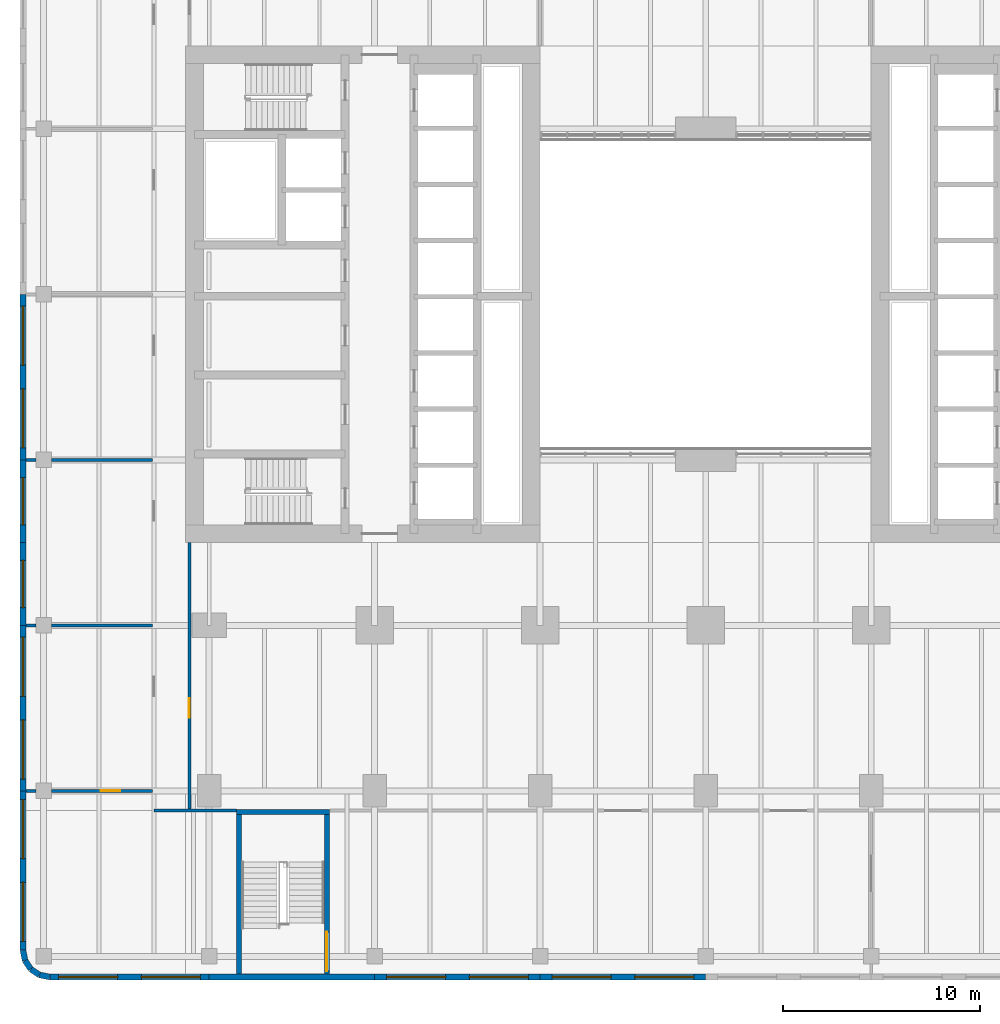
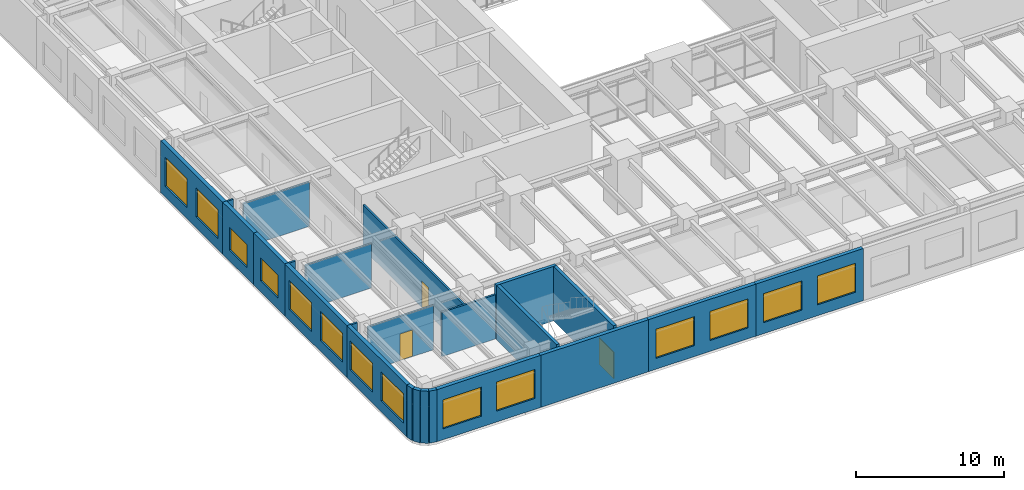
# One storey, part 9 of 26: 24 walls, 14 windows, 3 doors, 17 openings.
"""IFC4 building model written with IfcOpenShell, lengths in metres."""

from ifc_helpers import new_model, si_unit, direction, frame, frame_2d, origin, place, context, subcontext, project, spatial, rectangle, extrude, material, layer, layer_set, type_object, element, fill, save


model = new_model("IFC4")

# Units and contexts
model_context = context("Model", 3, precision=1e-05, world=origin(), true_north=direction((0.0, 1.0)))
body_context = subcontext(model_context, "Body", "Model", "MODEL_VIEW")
ifc_project = project(units=[si_unit("LENGTHUNIT", "METRE"), si_unit("AREAUNIT", "SQUARE_METRE"), si_unit("VOLUMEUNIT", "CUBIC_METRE"), si_unit("PLANEANGLEUNIT", "RADIAN"), si_unit("MASSUNIT", "GRAM", prefix="KILO")], contexts=[model_context])

# Site, building, storey
site_placement = place(None, origin())
site = spatial("IfcSite", under=ifc_project, at=site_placement, CompositionType="ELEMENT")
building_placement = place(site_placement, origin())
building = spatial("IfcBuilding", under=site, at=building_placement, Name="Claustro Exchange Tower", CompositionType="ELEMENT")
storey_placement = place(building_placement, frame((0.0, 0.0, 9.89990234375)))
storey = spatial("IfcBuildingStorey", under=building, at=storey_placement, Name="L02", CompositionType="ELEMENT", Elevation=9.89990234375)

# Walls
ifc_material_1 = material(Name="Gypsum board on steel studs", Category="steel")
ifc_layer_1 = layer(ifc_material_1, 0.14990234375)
ifc_layer_set_1 = layer_set([ifc_layer_1], Name="Gypsum board on steel studs")
wall_type_1 = type_object("IfcWallType", Name="P1 150 plasterboard partition", PredefinedType="PARTITIONING", material=ifc_layer_set_1)
wall_1_placement = place(storey_placement, frame((-2.800048828125, -1.0, 0.0), z_axis=(0.0, 0.0, 1.0), x_axis=(1.0, 0.0, 0.0)))
element("IfcWall", 1, at=wall_1_placement, inside=storey, type_object=wall_type_1, Name="Partition P1 L02", PredefinedType="PARTITIONING", context=body_context, shape_type="SweptSolid", body=[
    extrude(rectangle(XDim=4.179931640625, YDim=0.14990234375, at=frame_2d((2.08984375, 0.0))), origin(), (0.0, 0.0, 1.0), 3.650146484375),
])
wall_2_placement = place(storey_placement, frame((-9.300048828125, 0.0, 0.0), z_axis=(0.0, 0.0, 1.0), x_axis=(1.0, 0.0, 0.0)))
element("IfcWall", 2, at=wall_2_placement, inside=storey, type_object=wall_type_1, Name="Partition P1 L02", PredefinedType="PARTITIONING", context=body_context, shape_type="SweptSolid", body=[
    extrude(rectangle(XDim=0.5009765625, YDim=0.14990234375, at=frame_2d((0.25048828125, 0.0))), origin(), (0.0, 0.0, 1.0), 4.300048828125),
])

# Wall, opening, door
wall_3_placement = place(storey_placement, frame((-8.0009765625, 0.0, 0.0), z_axis=(0.0, 0.0, 1.0), x_axis=(1.0, 0.0, 0.0)))
wall_3 = element("IfcWall", 3, at=wall_3_placement, inside=storey, type_object=wall_type_1, Name="Partition P1 L02", PredefinedType="PARTITIONING", context=body_context, shape_type="SweptSolid", body=[
    extrude(rectangle(XDim=5.126953125, YDim=0.14990234375, at=frame_2d((2.5634765625, 0.0))), origin(), (0.0, 0.0, 1.0), 3.650146484375),
])
opening_1_placement = place(wall_3_placement, frame((2.5009765625, 0.0, 0.0)))
opening_1 = element("IfcOpeningElement", 4, at=opening_1_placement, cuts=wall_3, Name="Opening D1", PredefinedType="OPENING", context=body_context, shape_type="SweptSolid", body=[
    extrude(rectangle(XDim=1.0, YDim=2.199951171875, at=frame_2d((0.5, 1.10009765625))), frame((0.0, 0.0849609375, 0.0), z_axis=(0.0, -1.0, 0.0), x_axis=(1.0, 0.0, 0.0)), (0.0, 0.0, 1.0), 0.169921875),
])
ifc_material_2 = material(Name="Timber door, oak veneer", Category="wood")
door_type_1 = type_object("IfcDoorType", Name="D1 1000 x 2200 single door", OperationType="SINGLE_SWING_LEFT", PredefinedType="DOOR", material=ifc_material_2)
door_1_placement = place(opening_1_placement, frame((1.0, 0.0, 0.0), z_axis=(0.0, 0.0, 1.0), x_axis=(-1.0, 0.0, 0.0)))
door_1 = element("IfcDoor", 5, at=door_1_placement, inside=storey, type_object=door_type_1, Name="Door D1 L02", OperationType="SINGLE_SWING_LEFT", OverallHeight=2.199951171875, OverallWidth=1.0, PredefinedType="DOOR", context=body_context, shape_type="SweptSolid", body=[
    extrude(rectangle(XDim=1.0, YDim=2.199951171875, at=frame_2d((0.5, 1.10009765625))), frame((0.0, 0.02490234375, 0.0), z_axis=(0.0, -1.0, 0.0), x_axis=(1.0, 0.0, 0.0)), (0.0, 0.0, 1.0), 0.050048828125),
])
fill(opening_1, door_1)

wall_4_placement = place(storey_placement, frame((-1.0, -0.926025390625, 0.0), z_axis=(0.0, 0.0, 1.0), x_axis=(0.0, 1.0, 0.0)))
wall_4 = element("IfcWall", 6, at=wall_4_placement, inside=storey, type_object=wall_type_1, Name="Partition P1 L02", PredefinedType="PARTITIONING", context=body_context, shape_type="SweptSolid", body=[
    extrude(rectangle(XDim=13.528076171875, YDim=0.14990234375, at=frame_2d((6.76416015625, 0.0))), origin(), (0.0, 0.0, 1.0), 3.650146484375),
])
opening_2_placement = place(wall_4_placement, frame((4.6259765625, 0.0, 0.0)))
opening_2 = element("IfcOpeningElement", 7, at=opening_2_placement, cuts=wall_4, Name="Opening D1", PredefinedType="OPENING", context=body_context, shape_type="SweptSolid", body=[
    extrude(rectangle(XDim=1.0, YDim=2.199951171875, at=frame_2d((0.5, 1.10009765625))), frame((0.0, 0.0849609375, 0.0), z_axis=(0.0, -1.0, 0.0), x_axis=(1.0, 0.0, 0.0)), (0.0, 0.0, 1.0), 0.169921875),
])
door_2_placement = place(opening_2_placement, origin())
door_2 = element("IfcDoor", 8, at=door_2_placement, inside=storey, type_object=door_type_1, Name="Door D1 L02", OperationType="SINGLE_SWING_LEFT", OverallHeight=2.199951171875, OverallWidth=1.0, PredefinedType="DOOR", context=body_context, shape_type="SweptSolid", body=[
    extrude(rectangle(XDim=1.0, YDim=2.199951171875, at=frame_2d((0.5, 1.10009765625))), frame((0.0, 0.02490234375, 0.0), z_axis=(0.0, -1.0, 0.0), x_axis=(1.0, 0.0, 0.0)), (0.0, 0.0, 1.0), 0.050048828125),
])
fill(opening_2, door_2)

# Walls
wall_5_placement = place(storey_placement, frame((-9.300048828125, 8.39990234375, 0.0), z_axis=(0.0, 0.0, 1.0), x_axis=(1.0, 0.0, 0.0)))
element("IfcWall", 9, at=wall_5_placement, inside=storey, type_object=wall_type_1, Name="Partition P1 L02", PredefinedType="PARTITIONING", context=body_context, shape_type="SweptSolid", body=[
    extrude(rectangle(XDim=0.5009765625, YDim=0.14990234375, at=frame_2d((0.25048828125, 0.0))), origin(), (0.0, 0.0, 1.0), 4.300048828125),
])
wall_6_placement = place(storey_placement, frame((-8.0009765625, 8.39990234375, 0.0), z_axis=(0.0, 0.0, 1.0), x_axis=(1.0, 0.0, 0.0)))
element("IfcWall", 10, at=wall_6_placement, inside=storey, type_object=wall_type_1, Name="Partition P1 L02", PredefinedType="PARTITIONING", context=body_context, shape_type="SweptSolid", body=[
    extrude(rectangle(XDim=5.126953125, YDim=0.14990234375, at=frame_2d((2.5634765625, 0.0))), origin(), (0.0, 0.0, 1.0), 3.650146484375),
])
wall_7_placement = place(storey_placement, frame((-9.300048828125, 16.800048828125, 0.0), z_axis=(0.0, 0.0, 1.0), x_axis=(1.0, 0.0, 0.0)))
element("IfcWall", 11, at=wall_7_placement, inside=storey, type_object=wall_type_1, Name="Partition P1 L02", PredefinedType="PARTITIONING", context=body_context, shape_type="SweptSolid", body=[
    extrude(rectangle(XDim=0.5009765625, YDim=0.14990234375, at=frame_2d((0.25048828125, 0.0))), origin(), (0.0, 0.0, 1.0), 4.300048828125),
])
wall_8_placement = place(storey_placement, frame((-8.0009765625, 16.800048828125, 0.0), z_axis=(0.0, 0.0, 1.0), x_axis=(1.0, 0.0, 0.0)))
element("IfcWall", 12, at=wall_8_placement, inside=storey, type_object=wall_type_1, Name="Partition P1 L02", PredefinedType="PARTITIONING", context=body_context, shape_type="SweptSolid", body=[
    extrude(rectangle(XDim=5.126953125, YDim=0.14990234375, at=frame_2d((2.5634765625, 0.0))), origin(), (0.0, 0.0, 1.0), 3.650146484375),
])

# Wall, openings, windows
ifc_material_3 = material(Name="Concrete HA-40 (C40/50), precast, white cement, acid-etched", Category="concrete")
ifc_layer_2 = layer(ifc_material_3, 0.300048828125)
ifc_layer_set_2 = layer_set([ifc_layer_2], Name="Concrete HA-40 (C40/50), precast, white cement, acid-etched")
wall_type_2 = type_object("IfcWallType", Name="PC1 300 precast concrete pier panel", PredefinedType="SOLIDWALL", material=ifc_layer_set_2)
wall_9_placement = place(storey_placement, frame((25.199951171875, -9.449951171875, 0.0), z_axis=(0.0, 0.0, 1.0), x_axis=(-1.0, 0.0, 0.0)))
wall_9 = element("IfcWall", 13, at=wall_9_placement, inside=storey, type_object=wall_type_2, Name="Precast pier panel PC1 L02", PredefinedType="SOLIDWALL", context=body_context, shape_type="SweptSolid", body=[
    extrude(rectangle(XDim=8.39990234375, YDim=0.300048828125, at=frame_2d((4.199951171875, 0.0))), origin(), (0.0, 0.0, 1.0), 4.300048828125),
])
opening_3_placement = place(wall_9_placement, frame((0.60009765625, 0.0, 0.89990234375)))
opening_3 = element("IfcOpeningElement", 14, at=opening_3_placement, cuts=wall_9, Name="Opening W3", PredefinedType="OPENING", context=body_context, shape_type="SweptSolid", body=[
    extrude(rectangle(XDim=3.0, YDim=2.39990234375, at=frame_2d((1.5, 1.199951171875))), frame((0.0, 0.159912109375, 0.0), z_axis=(0.0, -1.0, 0.0), x_axis=(1.0, 0.0, 0.0)), (0.0, 0.0, 1.0), 0.320068359375),
])
opening_4_placement = place(wall_9_placement, frame((4.800048828125, 0.0, 0.89990234375)))
opening_4 = element("IfcOpeningElement", 15, at=opening_4_placement, cuts=wall_9, Name="Opening W3", PredefinedType="OPENING", context=body_context, shape_type="SweptSolid", body=[
    extrude(rectangle(XDim=3.0, YDim=2.39990234375, at=frame_2d((1.5, 1.199951171875))), frame((0.0, 0.159912109375, 0.0), z_axis=(0.0, -1.0, 0.0), x_axis=(1.0, 0.0, 0.0)), (0.0, 0.0, 1.0), 0.320068359375),
])
ifc_material_4 = material(Name="Aluminium frame, clear double glazing", Category="aluminium")
window_type_1 = type_object("IfcWindowType", Name="W3 3000 x 2400 window", PartitioningType="SINGLE_PANEL", PredefinedType="WINDOW", material=ifc_material_4)
window_1_placement = place(opening_3_placement, origin())
window_1 = element("IfcWindow", 16, at=window_1_placement, inside=storey, type_object=window_type_1, Name="Window W3 L02", OverallHeight=2.39990234375, OverallWidth=3.0, PartitioningType="SINGLE_PANEL", PredefinedType="WINDOW", context=body_context, shape_type="SweptSolid", body=[
    extrude(rectangle(XDim=3.0, YDim=2.39990234375, at=frame_2d((1.5, 1.199951171875))), frame((0.0, 0.030029296875, 0.0), z_axis=(0.0, -1.0, 0.0), x_axis=(1.0, 0.0, 0.0)), (0.0, 0.0, 1.0), 0.06005859375),
])
fill(opening_3, window_1)
window_2_placement = place(opening_4_placement, origin())
window_2 = element("IfcWindow", 17, at=window_2_placement, inside=storey, type_object=window_type_1, Name="Window W3 L02", OverallHeight=2.39990234375, OverallWidth=3.0, PartitioningType="SINGLE_PANEL", PredefinedType="WINDOW", context=body_context, shape_type="SweptSolid", body=[
    extrude(rectangle(XDim=3.0, YDim=2.39990234375, at=frame_2d((1.5, 1.199951171875))), frame((0.0, 0.030029296875, 0.0), z_axis=(0.0, -1.0, 0.0), x_axis=(1.0, 0.0, 0.0)), (0.0, 0.0, 1.0), 0.06005859375),
])
fill(opening_4, window_2)

wall_10_placement = place(storey_placement, frame((16.800048828125, -9.449951171875, 0.0), z_axis=(0.0, 0.0, 1.0), x_axis=(-1.0, 0.0, 0.0)))
wall_10 = element("IfcWall", 18, at=wall_10_placement, inside=storey, type_object=wall_type_2, Name="Precast pier panel PC1 L02", PredefinedType="SOLIDWALL", context=body_context, shape_type="SweptSolid", body=[
    extrude(rectangle(XDim=8.400146484375, YDim=0.300048828125, at=frame_2d((4.2001953125, 0.0))), origin(), (0.0, 0.0, 1.0), 4.300048828125),
])
opening_5_placement = place(wall_10_placement, frame((0.60009765625, 0.0, 0.89990234375)))
opening_5 = element("IfcOpeningElement", 19, at=opening_5_placement, cuts=wall_10, Name="Opening W3", PredefinedType="OPENING", context=body_context, shape_type="SweptSolid", body=[
    extrude(rectangle(XDim=3.0, YDim=2.39990234375, at=frame_2d((1.5, 1.199951171875))), frame((0.0, 0.159912109375, 0.0), z_axis=(0.0, -1.0, 0.0), x_axis=(1.0, 0.0, 0.0)), (0.0, 0.0, 1.0), 0.320068359375),
])
opening_6_placement = place(wall_10_placement, frame((4.800048828125, 0.0, 0.89990234375)))
opening_6 = element("IfcOpeningElement", 20, at=opening_6_placement, cuts=wall_10, Name="Opening W3", PredefinedType="OPENING", context=body_context, shape_type="SweptSolid", body=[
    extrude(rectangle(XDim=3.0, YDim=2.39990234375, at=frame_2d((1.5, 1.199951171875))), frame((0.0, 0.159912109375, 0.0), z_axis=(0.0, -1.0, 0.0), x_axis=(1.0, 0.0, 0.0)), (0.0, 0.0, 1.0), 0.320068359375),
])
window_3_placement = place(opening_5_placement, origin())
window_3 = element("IfcWindow", 21, at=window_3_placement, inside=storey, type_object=window_type_1, Name="Window W3 L02", OverallHeight=2.39990234375, OverallWidth=3.0, PartitioningType="SINGLE_PANEL", PredefinedType="WINDOW", context=body_context, shape_type="SweptSolid", body=[
    extrude(rectangle(XDim=3.0, YDim=2.39990234375, at=frame_2d((1.5, 1.199951171875))), frame((0.0, 0.030029296875, 0.0), z_axis=(0.0, -1.0, 0.0), x_axis=(1.0, 0.0, 0.0)), (0.0, 0.0, 1.0), 0.06005859375),
])
fill(opening_5, window_3)
window_4_placement = place(opening_6_placement, origin())
window_4 = element("IfcWindow", 22, at=window_4_placement, inside=storey, type_object=window_type_1, Name="Window W3 L02", OverallHeight=2.39990234375, OverallWidth=3.0, PartitioningType="SINGLE_PANEL", PredefinedType="WINDOW", context=body_context, shape_type="SweptSolid", body=[
    extrude(rectangle(XDim=3.0, YDim=2.39990234375, at=frame_2d((1.5, 1.199951171875))), frame((0.0, 0.030029296875, 0.0), z_axis=(0.0, -1.0, 0.0), x_axis=(1.0, 0.0, 0.0)), (0.0, 0.0, 1.0), 0.06005859375),
])
fill(opening_6, window_4)

# Wall
wall_11_placement = place(storey_placement, frame((8.39990234375, -9.449951171875, 0.0), z_axis=(0.0, 0.0, 1.0), x_axis=(-1.0, 0.0, 0.0)))
element("IfcWall", 23, at=wall_11_placement, inside=storey, type_object=wall_type_2, Name="Precast pier panel PC1 L02", PredefinedType="SOLIDWALL", context=body_context, shape_type="SweptSolid", body=[
    extrude(rectangle(XDim=8.39990234375, YDim=0.300048828125, at=frame_2d((4.199951171875, 0.0))), origin(), (0.0, 0.0, 1.0), 4.300048828125),
])

# Wall, openings, windows
wall_12_placement = place(storey_placement, frame((0.0, -9.449951171875, 0.0), z_axis=(0.0, 0.0, 1.0), x_axis=(-1.0, 0.0, 0.0)))
wall_12 = element("IfcWall", 24, at=wall_12_placement, inside=storey, type_object=wall_type_2, Name="Precast pier panel PC1 L02", PredefinedType="SOLIDWALL", context=body_context, shape_type="SweptSolid", body=[
    extrude(rectangle(XDim=8.085205078125, YDim=0.300048828125, at=frame_2d((4.04248046875, 0.0))), origin(), (0.0, 0.0, 1.0), 4.300048828125),
])
opening_7_placement = place(wall_12_placement, frame((0.442626953125, 0.0, 0.89990234375)))
opening_7 = element("IfcOpeningElement", 25, at=opening_7_placement, cuts=wall_12, Name="Opening W3", PredefinedType="OPENING", context=body_context, shape_type="SweptSolid", body=[
    extrude(rectangle(XDim=3.0, YDim=2.39990234375, at=frame_2d((1.5, 1.199951171875))), frame((0.0, 0.159912109375, 0.0), z_axis=(0.0, -1.0, 0.0), x_axis=(1.0, 0.0, 0.0)), (0.0, 0.0, 1.0), 0.320068359375),
])
opening_8_placement = place(wall_12_placement, frame((4.642578125, 0.0, 0.89990234375)))
opening_8 = element("IfcOpeningElement", 26, at=opening_8_placement, cuts=wall_12, Name="Opening W3", PredefinedType="OPENING", context=body_context, shape_type="SweptSolid", body=[
    extrude(rectangle(XDim=3.0, YDim=2.39990234375, at=frame_2d((1.5, 1.199951171875))), frame((0.0, 0.159912109375, 0.0), z_axis=(0.0, -1.0, 0.0), x_axis=(1.0, 0.0, 0.0)), (0.0, 0.0, 1.0), 0.320068359375),
])
window_5_placement = place(opening_7_placement, origin())
window_5 = element("IfcWindow", 27, at=window_5_placement, inside=storey, type_object=window_type_1, Name="Window W3 L02", OverallHeight=2.39990234375, OverallWidth=3.0, PartitioningType="SINGLE_PANEL", PredefinedType="WINDOW", context=body_context, shape_type="SweptSolid", body=[
    extrude(rectangle(XDim=3.0, YDim=2.39990234375, at=frame_2d((1.5, 1.199951171875))), frame((0.0, 0.030029296875, 0.0), z_axis=(0.0, -1.0, 0.0), x_axis=(1.0, 0.0, 0.0)), (0.0, 0.0, 1.0), 0.06005859375),
])
fill(opening_7, window_5)
window_6_placement = place(opening_8_placement, origin())
window_6 = element("IfcWindow", 28, at=window_6_placement, inside=storey, type_object=window_type_1, Name="Window W3 L02", OverallHeight=2.39990234375, OverallWidth=3.0, PartitioningType="SINGLE_PANEL", PredefinedType="WINDOW", context=body_context, shape_type="SweptSolid", body=[
    extrude(rectangle(XDim=3.0, YDim=2.39990234375, at=frame_2d((1.5, 1.199951171875))), frame((0.0, 0.030029296875, 0.0), z_axis=(0.0, -1.0, 0.0), x_axis=(1.0, 0.0, 0.0)), (0.0, 0.0, 1.0), 0.06005859375),
])
fill(opening_8, window_6)

# Walls
wall_13_placement = place(storey_placement, frame((-8.085205078125, -9.449951171875, 0.0), z_axis=(0.0, 0.0, 1.0), x_axis=(-0.980788534345, 0.195073962632, 0.0)))
element("IfcWall", 29, at=wall_13_placement, inside=storey, type_object=wall_type_2, Name="Precast pier panel PC1 L02", PredefinedType="SOLIDWALL", context=body_context, shape_type="SweptSolid", body=[
    extrude(rectangle(XDim=0.540771484375, YDim=0.300048828125, at=frame_2d((0.2705078125, 0.0))), origin(), (0.0, 0.0, 1.0), 4.300048828125),
])
for number, where, z_axis, x_axis, name in (
    (30, (-8.615478515625, -9.344482421875, 0.0), (0.0, 0.0, 1.0), (-0.831478144188, 0.555557463938, 0.0), "Precast pier panel PC1 L02"),
    (31, (-9.052490234375, -9.052490234375, 0.0), (0.0, 0.0, 1.0), (-0.555557463938, 0.831478144188, 0.0), "Precast pier panel PC1 L02"),
):
    element("IfcWall", number, at=place(storey_placement, frame(where, z_axis=z_axis, x_axis=x_axis)), inside=storey, type_object=wall_type_2, Name=name, PredefinedType="SOLIDWALL", context=body_context, shape_type="SweptSolid", body=[
        extrude(rectangle(XDim=0.525634765625, YDim=0.300048828125, at=frame_2d((0.2626953125, 0.0))), origin(), (0.0, 0.0, 1.0), 4.300048828125),
    ])
wall_14_placement = place(storey_placement, frame((-9.344482421875, -8.615478515625, 0.0), z_axis=(0.0, 0.0, 1.0), x_axis=(-0.195073962632, 0.980788534345, 0.0)))
element("IfcWall", 32, at=wall_14_placement, inside=storey, type_object=wall_type_2, Name="Precast pier panel PC1 L02", PredefinedType="SOLIDWALL", context=body_context, shape_type="SweptSolid", body=[
    extrude(rectangle(XDim=0.540771484375, YDim=0.300048828125, at=frame_2d((0.2705078125, 0.0))), origin(), (0.0, 0.0, 1.0), 4.300048828125),
])

# Wall, openings, windows
wall_15_placement = place(storey_placement, frame((-9.449951171875, -8.085205078125, 0.0), z_axis=(0.0, 0.0, 1.0), x_axis=(0.0, 1.0, 0.0)))
wall_15 = element("IfcWall", 33, at=wall_15_placement, inside=storey, type_object=wall_type_2, Name="Precast pier panel PC1 L02", PredefinedType="SOLIDWALL", context=body_context, shape_type="SweptSolid", body=[
    extrude(rectangle(XDim=8.085205078125, YDim=0.300048828125, at=frame_2d((4.04248046875, 0.0))), origin(), (0.0, 0.0, 1.0), 4.300048828125),
])
opening_9_placement = place(wall_15_placement, frame((0.442626953125, 0.0, 0.89990234375)))
opening_9 = element("IfcOpeningElement", 34, at=opening_9_placement, cuts=wall_15, Name="Opening W3", PredefinedType="OPENING", context=body_context, shape_type="SweptSolid", body=[
    extrude(rectangle(XDim=3.0, YDim=2.39990234375, at=frame_2d((1.5, 1.199951171875))), frame((0.0, 0.159912109375, 0.0), z_axis=(0.0, -1.0, 0.0), x_axis=(1.0, 0.0, 0.0)), (0.0, 0.0, 1.0), 0.320068359375),
])
opening_10_placement = place(wall_15_placement, frame((4.642578125, 0.0, 0.89990234375)))
opening_10 = element("IfcOpeningElement", 35, at=opening_10_placement, cuts=wall_15, Name="Opening W3", PredefinedType="OPENING", context=body_context, shape_type="SweptSolid", body=[
    extrude(rectangle(XDim=3.0, YDim=2.39990234375, at=frame_2d((1.5, 1.199951171875))), frame((0.0, 0.159912109375, 0.0), z_axis=(0.0, -1.0, 0.0), x_axis=(1.0, 0.0, 0.0)), (0.0, 0.0, 1.0), 0.320068359375),
])
window_7_placement = place(opening_9_placement, origin())
window_7 = element("IfcWindow", 36, at=window_7_placement, inside=storey, type_object=window_type_1, Name="Window W3 L02", OverallHeight=2.39990234375, OverallWidth=3.0, PartitioningType="SINGLE_PANEL", PredefinedType="WINDOW", context=body_context, shape_type="SweptSolid", body=[
    extrude(rectangle(XDim=3.0, YDim=2.39990234375, at=frame_2d((1.5, 1.199951171875))), frame((0.0, 0.030029296875, 0.0), z_axis=(0.0, -1.0, 0.0), x_axis=(1.0, 0.0, 0.0)), (0.0, 0.0, 1.0), 0.06005859375),
])
fill(opening_9, window_7)
window_8_placement = place(opening_10_placement, origin())
window_8 = element("IfcWindow", 37, at=window_8_placement, inside=storey, type_object=window_type_1, Name="Window W3 L02", OverallHeight=2.39990234375, OverallWidth=3.0, PartitioningType="SINGLE_PANEL", PredefinedType="WINDOW", context=body_context, shape_type="SweptSolid", body=[
    extrude(rectangle(XDim=3.0, YDim=2.39990234375, at=frame_2d((1.5, 1.199951171875))), frame((0.0, 0.030029296875, 0.0), z_axis=(0.0, -1.0, 0.0), x_axis=(1.0, 0.0, 0.0)), (0.0, 0.0, 1.0), 0.06005859375),
])
fill(opening_10, window_8)

wall_16_placement = place(storey_placement, frame((-9.449951171875, 0.0, 0.0), z_axis=(0.0, 0.0, 1.0), x_axis=(0.0, 1.0, 0.0)))
wall_16 = element("IfcWall", 38, at=wall_16_placement, inside=storey, type_object=wall_type_2, Name="Precast pier panel PC1 L02", PredefinedType="SOLIDWALL", context=body_context, shape_type="SweptSolid", body=[
    extrude(rectangle(XDim=8.39990234375, YDim=0.300048828125, at=frame_2d((4.199951171875, 0.0))), origin(), (0.0, 0.0, 1.0), 4.300048828125),
])
opening_11_placement = place(wall_16_placement, frame((0.60009765625, 0.0, 0.89990234375)))
opening_11 = element("IfcOpeningElement", 39, at=opening_11_placement, cuts=wall_16, Name="Opening W3", PredefinedType="OPENING", context=body_context, shape_type="SweptSolid", body=[
    extrude(rectangle(XDim=3.0, YDim=2.39990234375, at=frame_2d((1.5, 1.199951171875))), frame((0.0, 0.159912109375, 0.0), z_axis=(0.0, -1.0, 0.0), x_axis=(1.0, 0.0, 0.0)), (0.0, 0.0, 1.0), 0.320068359375),
])
opening_12_placement = place(wall_16_placement, frame((4.800048828125, 0.0, 0.89990234375)))
opening_12 = element("IfcOpeningElement", 40, at=opening_12_placement, cuts=wall_16, Name="Opening W3", PredefinedType="OPENING", context=body_context, shape_type="SweptSolid", body=[
    extrude(rectangle(XDim=3.0, YDim=2.39990234375, at=frame_2d((1.5, 1.199951171875))), frame((0.0, 0.159912109375, 0.0), z_axis=(0.0, -1.0, 0.0), x_axis=(1.0, 0.0, 0.0)), (0.0, 0.0, 1.0), 0.320068359375),
])
window_9_placement = place(opening_11_placement, origin())
window_9 = element("IfcWindow", 41, at=window_9_placement, inside=storey, type_object=window_type_1, Name="Window W3 L02", OverallHeight=2.39990234375, OverallWidth=3.0, PartitioningType="SINGLE_PANEL", PredefinedType="WINDOW", context=body_context, shape_type="SweptSolid", body=[
    extrude(rectangle(XDim=3.0, YDim=2.39990234375, at=frame_2d((1.5, 1.199951171875))), frame((0.0, 0.030029296875, 0.0), z_axis=(0.0, -1.0, 0.0), x_axis=(1.0, 0.0, 0.0)), (0.0, 0.0, 1.0), 0.06005859375),
])
fill(opening_11, window_9)
window_10_placement = place(opening_12_placement, origin())
window_10 = element("IfcWindow", 42, at=window_10_placement, inside=storey, type_object=window_type_1, Name="Window W3 L02", OverallHeight=2.39990234375, OverallWidth=3.0, PartitioningType="SINGLE_PANEL", PredefinedType="WINDOW", context=body_context, shape_type="SweptSolid", body=[
    extrude(rectangle(XDim=3.0, YDim=2.39990234375, at=frame_2d((1.5, 1.199951171875))), frame((0.0, 0.030029296875, 0.0), z_axis=(0.0, -1.0, 0.0), x_axis=(1.0, 0.0, 0.0)), (0.0, 0.0, 1.0), 0.06005859375),
])
fill(opening_12, window_10)

# Wall, opening, window
wall_17_placement = place(storey_placement, frame((-9.449951171875, 8.39990234375, 0.0), z_axis=(0.0, 0.0, 1.0), x_axis=(0.0, 1.0, 0.0)))
wall_17 = element("IfcWall", 43, at=wall_17_placement, inside=storey, type_object=wall_type_2, Name="Precast pier panel PC1 L02", PredefinedType="SOLIDWALL", context=body_context, shape_type="SweptSolid", body=[
    extrude(rectangle(XDim=4.2001953125, YDim=0.300048828125, at=frame_2d((2.10009765625, 0.0))), origin(), (0.0, 0.0, 1.0), 4.300048828125),
])
opening_13_placement = place(wall_17_placement, frame((0.89990234375, 0.0, 0.89990234375)))
opening_13 = element("IfcOpeningElement", 44, at=opening_13_placement, cuts=wall_17, Name="Opening W2", PredefinedType="OPENING", context=body_context, shape_type="SweptSolid", body=[
    extrude(rectangle(XDim=2.39990234375, YDim=1.89990234375, at=frame_2d((1.199951171875, 0.949951171875))), frame((0.0, 0.159912109375, 0.0), z_axis=(0.0, -1.0, 0.0), x_axis=(1.0, 0.0, 0.0)), (0.0, 0.0, 1.0), 0.320068359375),
])
ifc_material_5 = material(Name="Aluminium frame, clear double glazing", Category="aluminium")
window_type_2 = type_object("IfcWindowType", Name="W2 2400 x 1900 window", PartitioningType="SINGLE_PANEL", PredefinedType="WINDOW", material=ifc_material_5)
window_11_placement = place(opening_13_placement, origin())
window_11 = element("IfcWindow", 45, at=window_11_placement, inside=storey, type_object=window_type_2, Name="Window W2 L02", OverallHeight=1.89990234375, OverallWidth=2.39990234375, PartitioningType="SINGLE_PANEL", PredefinedType="WINDOW", context=body_context, shape_type="SweptSolid", body=[
    extrude(rectangle(XDim=2.39990234375, YDim=1.89990234375, at=frame_2d((1.199951171875, 0.949951171875))), frame((0.0, 0.030029296875, 0.0), z_axis=(0.0, -1.0, 0.0), x_axis=(1.0, 0.0, 0.0)), (0.0, 0.0, 1.0), 0.06005859375),
])
fill(opening_13, window_11)

wall_18_placement = place(storey_placement, frame((-9.449951171875, 12.60009765625, 0.0), z_axis=(0.0, 0.0, 1.0), x_axis=(0.0, 1.0, 0.0)))
wall_18 = element("IfcWall", 46, at=wall_18_placement, inside=storey, type_object=wall_type_2, Name="Precast pier panel PC1 L02", PredefinedType="SOLIDWALL", context=body_context, shape_type="SweptSolid", body=[
    extrude(rectangle(XDim=4.199951171875, YDim=0.300048828125, at=frame_2d((2.10009765625, 0.0))), origin(), (0.0, 0.0, 1.0), 4.300048828125),
])
opening_14_placement = place(wall_18_placement, frame((0.89990234375, 0.0, 0.89990234375)))
opening_14 = element("IfcOpeningElement", 47, at=opening_14_placement, cuts=wall_18, Name="Opening W2", PredefinedType="OPENING", context=body_context, shape_type="SweptSolid", body=[
    extrude(rectangle(XDim=2.39990234375, YDim=1.89990234375, at=frame_2d((1.199951171875, 0.949951171875))), frame((0.0, 0.159912109375, 0.0), z_axis=(0.0, -1.0, 0.0), x_axis=(1.0, 0.0, 0.0)), (0.0, 0.0, 1.0), 0.320068359375),
])
window_12_placement = place(opening_14_placement, origin())
window_12 = element("IfcWindow", 48, at=window_12_placement, inside=storey, type_object=window_type_2, Name="Window W2 L02", OverallHeight=1.89990234375, OverallWidth=2.39990234375, PartitioningType="SINGLE_PANEL", PredefinedType="WINDOW", context=body_context, shape_type="SweptSolid", body=[
    extrude(rectangle(XDim=2.39990234375, YDim=1.89990234375, at=frame_2d((1.199951171875, 0.949951171875))), frame((0.0, 0.030029296875, 0.0), z_axis=(0.0, -1.0, 0.0), x_axis=(1.0, 0.0, 0.0)), (0.0, 0.0, 1.0), 0.06005859375),
])
fill(opening_14, window_12)

# Wall, openings, windows
wall_19_placement = place(storey_placement, frame((-9.449951171875, 16.800048828125, 0.0), z_axis=(0.0, 0.0, 1.0), x_axis=(0.0, 1.0, 0.0)))
wall_19 = element("IfcWall", 49, at=wall_19_placement, inside=storey, type_object=wall_type_2, Name="Precast pier panel PC1 L02", PredefinedType="SOLIDWALL", context=body_context, shape_type="SweptSolid", body=[
    extrude(rectangle(XDim=8.39990234375, YDim=0.300048828125, at=frame_2d((4.199951171875, 0.0))), origin(), (0.0, 0.0, 1.0), 4.300048828125),
])
opening_15_placement = place(wall_19_placement, frame((0.60009765625, 0.0, 0.89990234375)))
opening_15 = element("IfcOpeningElement", 50, at=opening_15_placement, cuts=wall_19, Name="Opening W3", PredefinedType="OPENING", context=body_context, shape_type="SweptSolid", body=[
    extrude(rectangle(XDim=3.0, YDim=2.39990234375, at=frame_2d((1.5, 1.199951171875))), frame((0.0, 0.159912109375, 0.0), z_axis=(0.0, -1.0, 0.0), x_axis=(1.0, 0.0, 0.0)), (0.0, 0.0, 1.0), 0.320068359375),
])
opening_16_placement = place(wall_19_placement, frame((4.800048828125, 0.0, 0.89990234375)))
opening_16 = element("IfcOpeningElement", 51, at=opening_16_placement, cuts=wall_19, Name="Opening W3", PredefinedType="OPENING", context=body_context, shape_type="SweptSolid", body=[
    extrude(rectangle(XDim=3.0, YDim=2.39990234375, at=frame_2d((1.5, 1.199951171875))), frame((0.0, 0.159912109375, 0.0), z_axis=(0.0, -1.0, 0.0), x_axis=(1.0, 0.0, 0.0)), (0.0, 0.0, 1.0), 0.320068359375),
])
window_13_placement = place(opening_15_placement, origin())
window_13 = element("IfcWindow", 52, at=window_13_placement, inside=storey, type_object=window_type_1, Name="Window W3 L02", OverallHeight=2.39990234375, OverallWidth=3.0, PartitioningType="SINGLE_PANEL", PredefinedType="WINDOW", context=body_context, shape_type="SweptSolid", body=[
    extrude(rectangle(XDim=3.0, YDim=2.39990234375, at=frame_2d((1.5, 1.199951171875))), frame((0.0, 0.030029296875, 0.0), z_axis=(0.0, -1.0, 0.0), x_axis=(1.0, 0.0, 0.0)), (0.0, 0.0, 1.0), 0.06005859375),
])
fill(opening_15, window_13)
window_14_placement = place(opening_16_placement, origin())
window_14 = element("IfcWindow", 53, at=window_14_placement, inside=storey, type_object=window_type_1, Name="Window W3 L02", OverallHeight=2.39990234375, OverallWidth=3.0, PartitioningType="SINGLE_PANEL", PredefinedType="WINDOW", context=body_context, shape_type="SweptSolid", body=[
    extrude(rectangle(XDim=3.0, YDim=2.39990234375, at=frame_2d((1.5, 1.199951171875))), frame((0.0, 0.030029296875, 0.0), z_axis=(0.0, -1.0, 0.0), x_axis=(1.0, 0.0, 0.0)), (0.0, 0.0, 1.0), 0.06005859375),
])
fill(opening_16, window_14)

# Wall
ifc_material_6 = material(Name="Concrete HA-40 (C40/50)", Category="concrete")
ifc_layer_3 = layer(ifc_material_6, 0.25)
ifc_layer_set_3 = layer_set([ifc_layer_3], Name="Concrete HA-40 (C40/50)")
wall_type_3 = type_object("IfcWallType", Name="SW7 250 reinforced concrete stair wall", PredefinedType="SOLIDWALL", material=ifc_layer_set_3)
wall_20_placement = place(storey_placement, frame((1.52490234375, -9.302001953125, 0.0), z_axis=(0.0, 0.0, 1.0), x_axis=(0.0, 1.0, 0.0)))
element("IfcWall", 54, at=wall_20_placement, inside=storey, type_object=wall_type_3, Name="Stair enclosure wall STP1 SW7 L02", PredefinedType="SOLIDWALL", context=body_context, shape_type="SweptSolid", body=[
    extrude(rectangle(XDim=8.10205078125, YDim=0.25, at=frame_2d((4.051025390625, 0.0))), origin(), (0.0, 0.0, 1.0), 4.5),
])

# Wall, opening, door
wall_21_placement = place(storey_placement, frame((5.97509765625, -9.302001953125, 0.0), z_axis=(0.0, 0.0, 1.0), x_axis=(0.0, 1.0, 0.0)))
wall_21 = element("IfcWall", 55, at=wall_21_placement, inside=storey, type_object=wall_type_3, Name="Stair enclosure wall STP1 SW7 L02", PredefinedType="SOLIDWALL", context=body_context, shape_type="SweptSolid", body=[
    extrude(rectangle(XDim=8.10205078125, YDim=0.25, at=frame_2d((4.051025390625, 0.0))), origin(), (0.0, 0.0, 1.0), 4.5),
])
opening_17_placement = place(wall_21_placement, frame((0.14990234375, 0.0, 0.0)))
opening_17 = element("IfcOpeningElement", 56, at=opening_17_placement, cuts=wall_21, Name="Opening D11", PredefinedType="OPENING", context=body_context, shape_type="SweptSolid", body=[
    extrude(rectangle(XDim=2.0, YDim=2.199951171875, at=frame_2d((1.0, 1.10009765625))), frame((0.0, 0.135009765625, 0.0), z_axis=(0.0, -1.0, 0.0), x_axis=(1.0, 0.0, 0.0)), (0.0, 0.0, 1.0), 0.27001953125),
])
ifc_material_7 = material(Name="Steel fire door, painted", Category="steel")
door_type_2 = type_object("IfcDoorType", Name="D11 2000 x 2200 fire-rated stair double door", OperationType="DOUBLE_DOOR_SINGLE_SWING", PredefinedType="DOOR", material=ifc_material_7)
door_3_placement = place(opening_17_placement, origin())
door_3 = element("IfcDoor", 57, at=door_3_placement, inside=storey, type_object=door_type_2, Name="Stair door STP1 D11 L02", OperationType="DOUBLE_DOOR_SINGLE_SWING", OverallHeight=2.199951171875, OverallWidth=2.0, PredefinedType="DOOR", context=body_context, shape_type="SweptSolid", body=[
    extrude(rectangle(XDim=2.0, YDim=2.199951171875, at=frame_2d((1.0, 1.10009765625))), frame((0.0, 0.02490234375, 0.0), z_axis=(0.0, -1.0, 0.0), x_axis=(1.0, 0.0, 0.0)), (0.0, 0.0, 1.0), 0.050048828125),
])
fill(opening_17, door_3)

# Wall
wall_22_placement = place(storey_placement, frame((1.39990234375, -1.074951171875, 0.0), z_axis=(0.0, 0.0, 1.0), x_axis=(1.0, 0.0, 0.0)))
element("IfcWall", 58, at=wall_22_placement, inside=storey, type_object=wall_type_3, Name="Stair enclosure wall STP1 SW7 L02", PredefinedType="SOLIDWALL", context=body_context, shape_type="SweptSolid", body=[
    extrude(rectangle(XDim=4.7001953125, YDim=0.25, at=frame_2d((2.35009765625, 0.0))), origin(), (0.0, 0.0, 1.0), 4.5),
])

save(model, "model.ifc")
